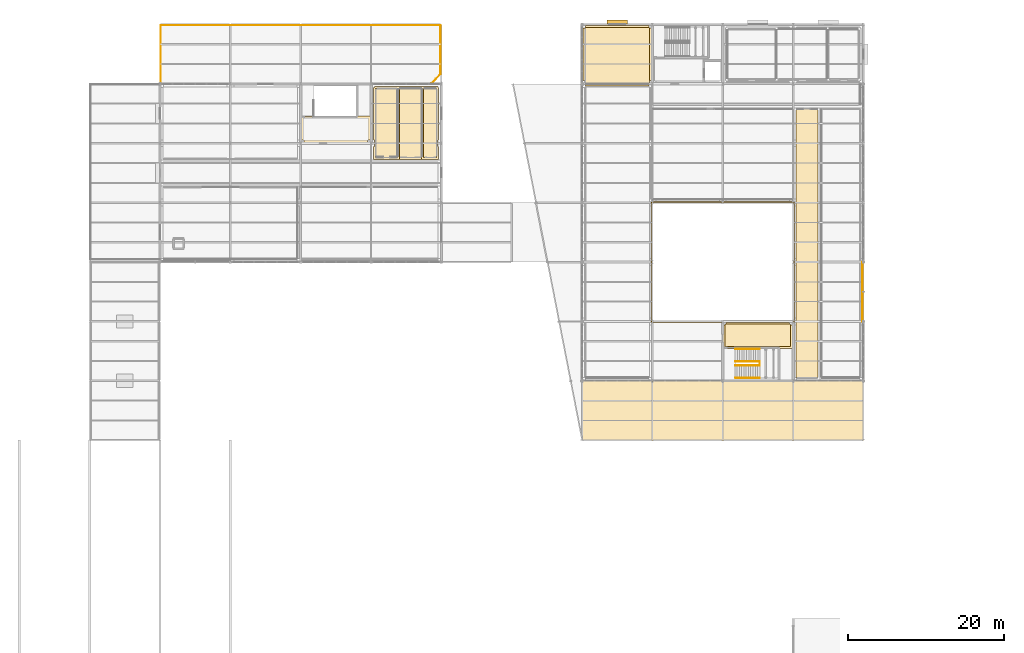
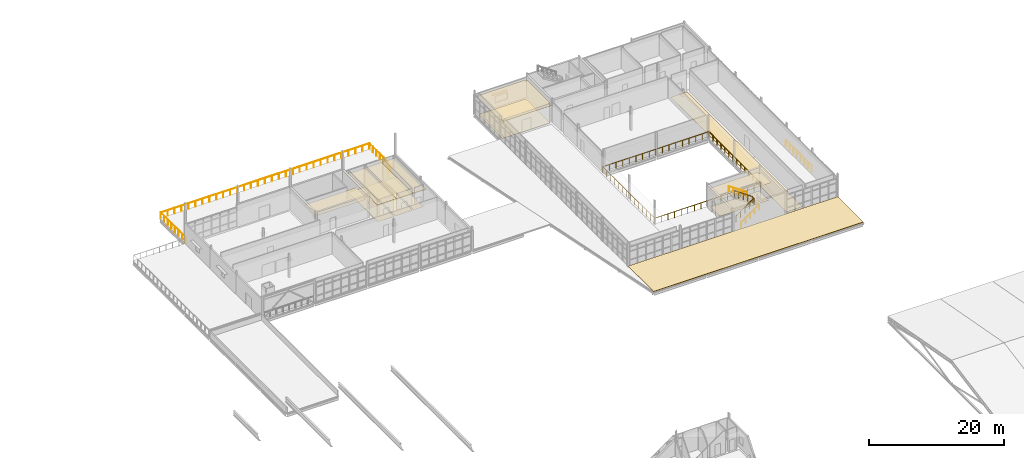
# One storey, part 95 of 96: 13 coverings, 6 railings, 1 shading device.
"""IFC4 building model written with IfcOpenShell, lengths in metres."""

from ifc_helpers import new_model, si_unit, direction, frame, origin, origin_2d, place, context, subcontext, project, spatial, polyline, rectangle, circle, outline, extrude, material, layer, layer_set, type_object, element, save


model = new_model("IFC4")

# Units and contexts
model_context = context("Model", 3, precision=1e-05, world=origin(), true_north=direction((0.0, 1.0)))
body_context = subcontext(model_context, "Body", "Model", "MODEL_VIEW")
ifc_project = project(units=[si_unit("LENGTHUNIT", "METRE"), si_unit("AREAUNIT", "SQUARE_METRE"), si_unit("VOLUMEUNIT", "CUBIC_METRE"), si_unit("PLANEANGLEUNIT", "RADIAN"), si_unit("MASSUNIT", "GRAM", prefix="KILO")], contexts=[model_context])

# Site, building, storey
site_placement = place(None, origin())
site = spatial("IfcSite", under=ifc_project, at=site_placement, CompositionType="ELEMENT")
building_placement = place(site_placement, origin())
building = spatial("IfcBuilding", under=site, at=building_placement, Name="Caisbarro Railhouse Central Library", CompositionType="ELEMENT")
storey_placement = place(building_placement, frame((0.0, 0.0, 13.679931640625)))
storey = spatial("IfcBuildingStorey", under=building, at=storey_placement, Name="L03", CompositionType="ELEMENT", Elevation=13.679931640625)

# Coverings
ifc_material_1 = material(Name="Perforated mineral-fibre acoustic ceiling tile")
ifc_layer_1 = layer(ifc_material_1, 0.01806640625, Name="Perforated mineral-fibre acoustic ceiling tile")
ifc_layer_set_1 = layer_set([ifc_layer_1], Name="Perforated mineral-fibre acoustic ceiling tile")
covering_type_1 = type_object("IfcCoveringType", Name="COV-CL01", PredefinedType="CEILING", material=ifc_layer_set_1)
covering_1_placement = place(storey_placement, frame((0.0, 0.0, 3.25)))
element("IfcCovering", 1, at=covering_1_placement, inside=storey, type_object=covering_type_1, Name="CL01 acoustic ceiling Stair Lobby K5", PredefinedType="CEILING", context=body_context, shape_type="SweptSolid", body=[
    extrude(outline(polyline([(89.9599609375, 102.260009765625), (89.9599609375, 99.239990234375), (89.56005859375, 99.239990234375), (89.56005859375, 98.889892578125), (81.43994140625, 98.889892578125), (81.43994140625, 99.239990234375), (81.0400390625, 99.239990234375), (81.0400390625, 102.260009765625), (89.9599609375, 102.260009765625)])), origin(), (0.0, 0.0, 1.0), 0.01806640625),
])
covering_2_placement = place(storey_placement, frame((0.0, 0.0, 3.25)))
element("IfcCovering", 2, at=covering_2_placement, inside=storey, type_object=covering_type_1, Name="CL01 acoustic ceiling Stair Lobby K7", PredefinedType="CEILING", context=body_context, shape_type="SweptSolid", body=[
    extrude(outline(polyline([(135.43994140625, 75.56005859375), (135.43994140625, 75.909912109375), (143.56005859375, 75.909912109375), (143.56005859375, 75.56005859375), (143.9599609375, 75.56005859375), (143.9599609375, 72.5400390625), (135.0400390625, 72.5400390625), (135.0400390625, 75.56005859375), (135.43994140625, 75.56005859375)])), origin(), (0.0, 0.0, 1.0), 0.01806640625),
])
covering_3_placement = place(storey_placement, frame((0.0, 0.0, 3.25)))
element("IfcCovering", 3, at=covering_3_placement, inside=storey, type_object=covering_type_1, Name="CL01 acoustic ceiling Male WC L03-V6", PredefinedType="CEILING", context=body_context, shape_type="SweptSolid", body=[
    extrude(outline(polyline([(90.43994140625, 98.360107421875), (90.43994140625, 99.239990234375), (90.340087890625, 99.239990234375), (90.340087890625, 105.9599609375), (90.43994140625, 105.9599609375), (90.43994140625, 106.06005859375), (93.676025390625, 106.06005859375), (93.676025390625, 96.739990234375), (90.340087890625, 96.739990234375), (90.340087890625, 98.360107421875), (90.43994140625, 98.360107421875)])), origin(), (0.0, 0.0, 1.0), 0.01806640625),
])
covering_4_placement = place(storey_placement, frame((0.0, 0.0, 3.25)))
element("IfcCovering", 4, at=covering_4_placement, inside=storey, type_object=covering_type_1, Name="CL01 acoustic ceiling Female WC L03-V6", PredefinedType="CEILING", context=body_context, shape_type="SweptSolid", body=[
    extrude(outline(polyline([(93.35595703125, 96.739990234375), (93.35595703125, 106.06005859375), (96.7919921875, 106.06005859375), (96.7919921875, 96.739990234375), (93.35595703125, 96.739990234375)])), origin(), (0.0, 0.0, 1.0), 0.01806640625),
])
covering_5_placement = place(storey_placement, frame((0.0, 0.0, 3.25)))
element("IfcCovering", 5, at=covering_5_placement, inside=storey, type_object=covering_type_1, Name="CL01 acoustic ceiling Accessible WC L03-V6", PredefinedType="CEILING", context=body_context, shape_type="SweptSolid", body=[
    extrude(outline(polyline([(98.56005859375, 106.06005859375), (98.56005859375, 105.9599609375), (98.659912109375, 105.9599609375), (98.659912109375, 99.239990234375), (98.56005859375, 99.239990234375), (98.56005859375, 98.360107421875), (98.659912109375, 98.360107421875), (98.659912109375, 96.739990234375), (96.471923828125, 96.739990234375), (96.471923828125, 106.06005859375), (98.56005859375, 106.06005859375)])), origin(), (0.0, 0.0, 1.0), 0.01806640625),
])
covering_6_placement = place(storey_placement, frame((0.0, 0.0, 3.25)))
element("IfcCovering", 6, at=covering_6_placement, inside=storey, type_object=covering_type_1, Name="CL01 acoustic ceiling Manuscript Consultation Room", PredefinedType="CEILING", context=body_context, shape_type="SweptSolid", body=[
    extrude(outline(polyline([(125.56005859375, 106.840087890625), (125.56005859375, 106.139892578125), (117.43994140625, 106.139892578125), (117.43994140625, 106.840087890625), (117.139892578125, 106.840087890625), (117.139892578125, 113.56005859375), (117.43994140625, 113.56005859375), (117.43994140625, 113.860107421875), (125.56005859375, 113.860107421875), (125.56005859375, 113.56005859375), (125.860107421875, 113.56005859375), (125.860107421875, 106.840087890625), (125.56005859375, 106.840087890625)])), origin(), (0.0, 0.0, 1.0), 0.01806640625),
])
ifc_material_2 = material(Name="Polished cementitious terrazzo flooring")
ifc_layer_2 = layer(ifc_material_2, 0.02197265625, Name="Polished cementitious terrazzo flooring")
ifc_layer_set_2 = layer_set([ifc_layer_2], Name="Polished cementitious terrazzo flooring")
covering_type_2 = type_object("IfcCoveringType", Name="COV-FL01", PredefinedType="FLOORING", material=ifc_layer_set_2)
covering_7_placement = place(storey_placement, origin())
element("IfcCovering", 7, at=covering_7_placement, inside=storey, type_object=covering_type_2, Name="FL01 flooring Stair Lobby K7", PredefinedType="FLOORING", context=body_context, shape_type="SweptSolid", body=[
    extrude(outline(polyline([(135.300048828125, 72.800048828125), (143.699951171875, 72.800048828125), (143.699951171875, 75.64990234375), (135.300048828125, 75.64990234375), (135.300048828125, 72.800048828125)])), origin(), (0.0, 0.0, 1.0), 0.02197265625),
])
covering_8_placement = place(storey_placement, origin())
element("IfcCovering", 8, at=covering_8_placement, inside=storey, type_object=covering_type_2, Name="FL01 flooring Atrium East Corridor L03", PredefinedType="FLOORING", context=body_context, shape_type="SweptSolid", body=[
    extrude(outline(polyline([(144.39990234375, 68.800048828125), (147.199951171875, 68.800048828125), (147.199951171875, 103.199951171875), (144.39990234375, 103.199951171875), (144.39990234375, 68.800048828125)])), origin(), (0.0, 0.0, 1.0), 0.02197265625),
])
ifc_material_3 = material(Name="Heavy-duty acoustic linoleum flooring")
ifc_layer_3 = layer(ifc_material_3, 0.011962890625, Name="Heavy-duty acoustic linoleum flooring")
ifc_layer_set_3 = layer_set([ifc_layer_3], Name="Heavy-duty acoustic linoleum flooring")
covering_type_3 = type_object("IfcCoveringType", Name="COV-FL02", PredefinedType="FLOORING", material=ifc_layer_set_3)
covering_9_placement = place(storey_placement, origin())
element("IfcCovering", 9, at=covering_9_placement, inside=storey, type_object=covering_type_3, Name="FL02 flooring Male WC L03-V6", PredefinedType="FLOORING", context=body_context, shape_type="SweptSolid", body=[
    extrude(outline(polyline([(90.60009765625, 97.0), (93.416015625, 97.0), (93.416015625, 105.800048828125), (90.60009765625, 105.800048828125), (90.60009765625, 97.0)])), origin(), (0.0, 0.0, 1.0), 0.011962890625),
])
covering_10_placement = place(storey_placement, origin())
element("IfcCovering", 10, at=covering_10_placement, inside=storey, type_object=covering_type_3, Name="FL02 flooring Female WC L03-V6", PredefinedType="FLOORING", context=body_context, shape_type="SweptSolid", body=[
    extrude(outline(polyline([(93.615966796875, 97.0), (96.531982421875, 97.0), (96.531982421875, 105.800048828125), (93.615966796875, 105.800048828125), (93.615966796875, 97.0)])), origin(), (0.0, 0.0, 1.0), 0.011962890625),
])
covering_11_placement = place(storey_placement, origin())
element("IfcCovering", 11, at=covering_11_placement, inside=storey, type_object=covering_type_3, Name="FL02 flooring Accessible WC L03-V6", PredefinedType="FLOORING", context=body_context, shape_type="SweptSolid", body=[
    extrude(outline(polyline([(96.73193359375, 97.0), (98.39990234375, 97.0), (98.39990234375, 105.800048828125), (96.73193359375, 105.800048828125), (96.73193359375, 97.0)])), origin(), (0.0, 0.0, 1.0), 0.011962890625),
])
covering_12_placement = place(storey_placement, origin())
element("IfcCovering", 12, at=covering_12_placement, inside=storey, type_object=covering_type_3, Name="FL02 flooring Manuscript Consultation Room", PredefinedType="FLOORING", context=body_context, shape_type="SweptSolid", body=[
    extrude(outline(polyline([(117.39990234375, 106.39990234375), (125.60009765625, 106.39990234375), (125.60009765625, 113.60009765625), (117.39990234375, 113.60009765625), (117.39990234375, 106.39990234375)])), origin(), (0.0, 0.0, 1.0), 0.011962890625),
])
ifc_material_4 = material(Name="TPO waterproof membrane over PIR insulation")
ifc_layer_4 = layer(ifc_material_4, 0.080078125, Name="TPO waterproof membrane over PIR insulation")
ifc_layer_set_4 = layer_set([ifc_layer_4], Name="TPO waterproof membrane over PIR insulation")
covering_type_4 = type_object("IfcCoveringType", Name="COV-ROOF01", PredefinedType="ROOFING", material=ifc_layer_set_4)
covering_13_placement = place(storey_placement, origin())
element("IfcCovering", 13, at=covering_13_placement, inside=storey, type_object=covering_type_4, Name="V4 South Setback Roof Membrane", PredefinedType="ROOFING", context=body_context, shape_type="SweptSolid", body=[
    extrude(outline(polyline([(117.0, 60.800048828125), (153.0, 60.800048828125), (153.0, 68.39990234375), (117.0, 68.39990234375), (117.0, 60.800048828125)])), origin(), (0.0, 0.0, 1.0), 0.080078125),
])

# Railings
ifc_material_5 = material(Name="Laminated safety glass balustrade with stainless top rail", Category="glass")
railing_type_1 = type_object("IfcRailingType", Name="RLG-ATR112", PredefinedType="GUARDRAIL", material=ifc_material_5)
railing_1_placement = place(storey_placement, frame((125.89990234375, 75.89990234375, 0.0)))
element("IfcRailing", 14, at=railing_1_placement, inside=storey, type_object=railing_type_1, Name="RG02 Interior Void Balustrade L03-03", PredefinedType="GUARDRAIL", context=body_context, shape_type="SweptSolid", body=[
    extrude(circle(Radius=0.02392578125, at=origin_2d()), frame((0.0, 0.0, 1.09619140625), z_axis=(1.0, 0.0, 0.0), x_axis=(0.0, 1.0, 0.0)), (0.0, 0.0, 1.0), 18.2001953125),
    extrude(circle(Radius=0.02392578125, at=origin_2d()), frame((18.2001953125, 0.0, 1.09619140625), z_axis=(0.0, 1.0, 0.0), x_axis=(-1.0, 0.0, 0.0)), (0.0, 0.0, 1.0), 15.400146484375),
    extrude(circle(Radius=0.02392578125, at=origin_2d()), frame((18.2001953125, 15.400146484375, 1.09619140625), z_axis=(-1.0, 0.0, 0.0), x_axis=(0.0, -1.0, 0.0)), (0.0, 0.0, 1.0), 18.2001953125),
    extrude(circle(Radius=0.02392578125, at=origin_2d()), frame((0.0, 15.400146484375, 1.09619140625), z_axis=(0.0, -1.0, 0.0), x_axis=(1.0, 0.0, 0.0)), (0.0, 0.0, 1.0), 15.400146484375),
    extrude(circle(Radius=0.02099609375, at=origin_2d()), origin(), (0.0, 0.0, 1.0), 1.072021484375),
    extrude(circle(Radius=0.02099609375, at=origin_2d()), frame((1.137451171875, 0.0, 0.0)), (0.0, 0.0, 1.0), 1.072021484375),
    extrude(circle(Radius=0.02099609375, at=origin_2d()), frame((2.27490234375, 0.0, 0.0)), (0.0, 0.0, 1.0), 1.072021484375),
    extrude(circle(Radius=0.02099609375, at=origin_2d()), frame((3.41259765625, 0.0, 0.0)), (0.0, 0.0, 1.0), 1.072021484375),
    extrude(circle(Radius=0.02099609375, at=origin_2d()), frame((4.550048828125, 0.0, 0.0)), (0.0, 0.0, 1.0), 1.072021484375),
    extrude(circle(Radius=0.02099609375, at=origin_2d()), frame((5.6875, 0.0, 0.0)), (0.0, 0.0, 1.0), 1.072021484375),
    extrude(circle(Radius=0.02099609375, at=origin_2d()), frame((6.8251953125, 0.0, 0.0)), (0.0, 0.0, 1.0), 1.072021484375),
    extrude(circle(Radius=0.02099609375, at=origin_2d()), frame((7.962646484375, 0.0, 0.0)), (0.0, 0.0, 1.0), 1.072021484375),
    extrude(circle(Radius=0.02099609375, at=origin_2d()), frame((9.10009765625, 0.0, 0.0)), (0.0, 0.0, 1.0), 1.072021484375),
    extrude(circle(Radius=0.02099609375, at=origin_2d()), frame((10.237548828125, 0.0, 0.0)), (0.0, 0.0, 1.0), 1.072021484375),
    extrude(circle(Radius=0.02099609375, at=origin_2d()), frame((11.375, 0.0, 0.0)), (0.0, 0.0, 1.0), 1.072021484375),
    extrude(circle(Radius=0.02099609375, at=origin_2d()), frame((12.5126953125, 0.0, 0.0)), (0.0, 0.0, 1.0), 1.072021484375),
    extrude(circle(Radius=0.02099609375, at=origin_2d()), frame((13.650146484375, 0.0, 0.0)), (0.0, 0.0, 1.0), 1.072021484375),
    extrude(circle(Radius=0.02099609375, at=origin_2d()), frame((14.78759765625, 0.0, 0.0)), (0.0, 0.0, 1.0), 1.072021484375),
    extrude(circle(Radius=0.02099609375, at=origin_2d()), frame((15.92529296875, 0.0, 0.0)), (0.0, 0.0, 1.0), 1.072021484375),
    extrude(circle(Radius=0.02099609375, at=origin_2d()), frame((17.062744140625, 0.0, 0.0)), (0.0, 0.0, 1.0), 1.072021484375),
    extrude(circle(Radius=0.02099609375, at=origin_2d()), frame((18.2001953125, 0.0, 0.0)), (0.0, 0.0, 1.0), 1.072021484375),
    extrude(circle(Radius=0.02099609375, at=origin_2d()), frame((18.2001953125, 1.1845703125, 0.0)), (0.0, 0.0, 1.0), 1.072021484375),
    extrude(circle(Radius=0.02099609375, at=origin_2d()), frame((18.2001953125, 2.369140625, 0.0)), (0.0, 0.0, 1.0), 1.072021484375),
    extrude(circle(Radius=0.02099609375, at=origin_2d()), frame((18.2001953125, 3.553955078125, 0.0)), (0.0, 0.0, 1.0), 1.072021484375),
    extrude(circle(Radius=0.02099609375, at=origin_2d()), frame((18.2001953125, 4.738525390625, 0.0)), (0.0, 0.0, 1.0), 1.072021484375),
    extrude(circle(Radius=0.02099609375, at=origin_2d()), frame((18.2001953125, 5.923095703125, 0.0)), (0.0, 0.0, 1.0), 1.072021484375),
    extrude(circle(Radius=0.02099609375, at=origin_2d()), frame((18.2001953125, 7.107666015625, 0.0)), (0.0, 0.0, 1.0), 1.072021484375),
    extrude(circle(Radius=0.02099609375, at=origin_2d()), frame((18.2001953125, 8.29248046875, 0.0)), (0.0, 0.0, 1.0), 1.072021484375),
    extrude(circle(Radius=0.02099609375, at=origin_2d()), frame((18.2001953125, 9.47705078125, 0.0)), (0.0, 0.0, 1.0), 1.072021484375),
    extrude(circle(Radius=0.02099609375, at=origin_2d()), frame((18.2001953125, 10.66162109375, 0.0)), (0.0, 0.0, 1.0), 1.072021484375),
    extrude(circle(Radius=0.02099609375, at=origin_2d()), frame((18.2001953125, 11.84619140625, 0.0)), (0.0, 0.0, 1.0), 1.072021484375),
    extrude(circle(Radius=0.02099609375, at=origin_2d()), frame((18.2001953125, 13.031005859375, 0.0)), (0.0, 0.0, 1.0), 1.072021484375),
    extrude(circle(Radius=0.02099609375, at=origin_2d()), frame((18.2001953125, 14.215576171875, 0.0)), (0.0, 0.0, 1.0), 1.072021484375),
    extrude(circle(Radius=0.02099609375, at=origin_2d()), frame((18.2001953125, 15.400146484375, 0.0)), (0.0, 0.0, 1.0), 1.072021484375),
    extrude(circle(Radius=0.02099609375, at=origin_2d()), frame((17.062744140625, 15.400146484375, 0.0)), (0.0, 0.0, 1.0), 1.072021484375),
    extrude(circle(Radius=0.02099609375, at=origin_2d()), frame((15.92529296875, 15.400146484375, 0.0)), (0.0, 0.0, 1.0), 1.072021484375),
    extrude(circle(Radius=0.02099609375, at=origin_2d()), frame((14.78759765625, 15.400146484375, 0.0)), (0.0, 0.0, 1.0), 1.072021484375),
    extrude(circle(Radius=0.02099609375, at=origin_2d()), frame((13.650146484375, 15.400146484375, 0.0)), (0.0, 0.0, 1.0), 1.072021484375),
    extrude(circle(Radius=0.02099609375, at=origin_2d()), frame((12.5126953125, 15.400146484375, 0.0)), (0.0, 0.0, 1.0), 1.072021484375),
    extrude(circle(Radius=0.02099609375, at=origin_2d()), frame((11.375, 15.400146484375, 0.0)), (0.0, 0.0, 1.0), 1.072021484375),
    extrude(circle(Radius=0.02099609375, at=origin_2d()), frame((10.237548828125, 15.400146484375, 0.0)), (0.0, 0.0, 1.0), 1.072021484375),
    extrude(circle(Radius=0.02099609375, at=origin_2d()), frame((9.10009765625, 15.400146484375, 0.0)), (0.0, 0.0, 1.0), 1.072021484375),
    extrude(circle(Radius=0.02099609375, at=origin_2d()), frame((7.962646484375, 15.400146484375, 0.0)), (0.0, 0.0, 1.0), 1.072021484375),
    extrude(circle(Radius=0.02099609375, at=origin_2d()), frame((6.8251953125, 15.400146484375, 0.0)), (0.0, 0.0, 1.0), 1.072021484375),
    extrude(circle(Radius=0.02099609375, at=origin_2d()), frame((5.6875, 15.400146484375, 0.0)), (0.0, 0.0, 1.0), 1.072021484375),
    extrude(circle(Radius=0.02099609375, at=origin_2d()), frame((4.550048828125, 15.400146484375, 0.0)), (0.0, 0.0, 1.0), 1.072021484375),
    extrude(circle(Radius=0.02099609375, at=origin_2d()), frame((3.41259765625, 15.400146484375, 0.0)), (0.0, 0.0, 1.0), 1.072021484375),
    extrude(circle(Radius=0.02099609375, at=origin_2d()), frame((2.27490234375, 15.400146484375, 0.0)), (0.0, 0.0, 1.0), 1.072021484375),
    extrude(circle(Radius=0.02099609375, at=origin_2d()), frame((1.137451171875, 15.400146484375, 0.0)), (0.0, 0.0, 1.0), 1.072021484375),
    extrude(circle(Radius=0.02099609375, at=origin_2d()), frame((0.0, 15.400146484375, 0.0)), (0.0, 0.0, 1.0), 1.072021484375),
    extrude(circle(Radius=0.02099609375, at=origin_2d()), frame((0.0, 14.215576171875, 0.0)), (0.0, 0.0, 1.0), 1.072021484375),
    extrude(circle(Radius=0.02099609375, at=origin_2d()), frame((0.0, 13.031005859375, 0.0)), (0.0, 0.0, 1.0), 1.072021484375),
    extrude(circle(Radius=0.02099609375, at=origin_2d()), frame((0.0, 11.84619140625, 0.0)), (0.0, 0.0, 1.0), 1.072021484375),
    extrude(circle(Radius=0.02099609375, at=origin_2d()), frame((0.0, 10.66162109375, 0.0)), (0.0, 0.0, 1.0), 1.072021484375),
    extrude(circle(Radius=0.02099609375, at=origin_2d()), frame((0.0, 9.47705078125, 0.0)), (0.0, 0.0, 1.0), 1.072021484375),
    extrude(circle(Radius=0.02099609375, at=origin_2d()), frame((0.0, 8.29248046875, 0.0)), (0.0, 0.0, 1.0), 1.072021484375),
    extrude(circle(Radius=0.02099609375, at=origin_2d()), frame((0.0, 7.107666015625, 0.0)), (0.0, 0.0, 1.0), 1.072021484375),
    extrude(circle(Radius=0.02099609375, at=origin_2d()), frame((0.0, 5.923095703125, 0.0)), (0.0, 0.0, 1.0), 1.072021484375),
    extrude(circle(Radius=0.02099609375, at=origin_2d()), frame((0.0, 4.738525390625, 0.0)), (0.0, 0.0, 1.0), 1.072021484375),
    extrude(circle(Radius=0.02099609375, at=origin_2d()), frame((0.0, 3.553955078125, 0.0)), (0.0, 0.0, 1.0), 1.072021484375),
    extrude(circle(Radius=0.02099609375, at=origin_2d()), frame((0.0, 2.369140625, 0.0)), (0.0, 0.0, 1.0), 1.072021484375),
    extrude(circle(Radius=0.02099609375, at=origin_2d()), frame((0.0, 1.1845703125, 0.0)), (0.0, 0.0, 1.0), 1.072021484375),
])
railing_2_placement = place(storey_placement, frame((152.89990234375, 76.0, 0.0)))
element("IfcRailing", 15, at=railing_2_placement, inside=storey, type_object=railing_type_1, Name="RG02 Interior Void Balustrade L03-33", PredefinedType="GUARDRAIL", context=body_context, shape_type="SweptSolid", body=[
    extrude(circle(Radius=0.02392578125, at=origin_2d()), frame((0.0, 0.0, 1.09619140625), z_axis=(0.0, 1.0, 0.0), x_axis=(-1.0, 0.0, 0.0)), (0.0, 0.0, 1.0), 7.60009765625),
    extrude(circle(Radius=0.02099609375, at=origin_2d()), origin(), (0.0, 0.0, 1.0), 1.072021484375),
    extrude(circle(Radius=0.02099609375, at=origin_2d()), frame((0.0, 1.085693359375, 0.0)), (0.0, 0.0, 1.0), 1.072021484375),
    extrude(circle(Radius=0.02099609375, at=origin_2d()), frame((0.0, 2.17138671875, 0.0)), (0.0, 0.0, 1.0), 1.072021484375),
    extrude(circle(Radius=0.02099609375, at=origin_2d()), frame((0.0, 3.257080078125, 0.0)), (0.0, 0.0, 1.0), 1.072021484375),
    extrude(circle(Radius=0.02099609375, at=origin_2d()), frame((0.0, 4.343017578125, 0.0)), (0.0, 0.0, 1.0), 1.072021484375),
    extrude(circle(Radius=0.02099609375, at=origin_2d()), frame((0.0, 5.4287109375, 0.0)), (0.0, 0.0, 1.0), 1.072021484375),
    extrude(circle(Radius=0.02099609375, at=origin_2d()), frame((0.0, 6.514404296875, 0.0)), (0.0, 0.0, 1.0), 1.072021484375),
    extrude(circle(Radius=0.02099609375, at=origin_2d()), frame((0.0, 7.60009765625, 0.0)), (0.0, 0.0, 1.0), 1.072021484375),
])
ifc_material_6 = material(Name="Brushed stainless steel Grade 316", Category="steel")
railing_type_2 = type_object("IfcRailingType", Name="RLG-EXT110", PredefinedType="GUARDRAIL", material=ifc_material_6)
railing_3_placement = place(storey_placement, frame((63.10009765625, 106.449951171875, 0.0)))
element("IfcRailing", 16, at=railing_3_placement, inside=storey, type_object=railing_type_2, Name="RG01 Terrace Guardrail TR-L03-N", PredefinedType="GUARDRAIL", context=body_context, shape_type="SweptSolid", body=[
    extrude(circle(Radius=0.02392578125, at=origin_2d()), frame((0.0, 0.0, 1.076171875), z_axis=(0.0, 1.0, 0.0), x_axis=(-1.0, 0.0, 0.0)), (0.0, 0.0, 1.0), 7.449951171875),
    extrude(circle(Radius=0.02392578125, at=origin_2d()), frame((0.0, 7.449951171875, 1.076171875), z_axis=(1.0, 0.0, 0.0), x_axis=(0.0, 1.0, 0.0)), (0.0, 0.0, 1.0), 35.7998046875),
    extrude(circle(Radius=0.02392578125, at=origin_2d()), frame((35.7998046875, 7.449951171875, 1.076171875), z_axis=(0.0, -1.0, 0.0), x_axis=(1.0, 0.0, 0.0)), (0.0, 0.0, 1.0), 6.25),
    extrude(circle(Radius=0.02392578125, at=origin_2d()), frame((35.7998046875, 1.199951171875, 1.076171875), z_axis=(-0.691889410347, -0.722003492963, 0.0), x_axis=(0.722003492963, -0.691889410347, 0.0)), (0.0, 0.0, 1.0), 1.661865234375),
    extrude(circle(Radius=0.02099609375, at=origin_2d()), origin(), (0.0, 0.0, 1.0), 1.052001953125),
    extrude(circle(Radius=0.02099609375, at=origin_2d()), frame((0.0, 1.064208984375, 0.0)), (0.0, 0.0, 1.0), 1.052001953125),
    extrude(circle(Radius=0.02099609375, at=origin_2d()), frame((0.0, 2.128662109375, 0.0)), (0.0, 0.0, 1.0), 1.052001953125),
    extrude(circle(Radius=0.02099609375, at=origin_2d()), frame((0.0, 3.19287109375, 0.0)), (0.0, 0.0, 1.0), 1.052001953125),
    extrude(circle(Radius=0.02099609375, at=origin_2d()), frame((0.0, 4.257080078125, 0.0)), (0.0, 0.0, 1.0), 1.052001953125),
    extrude(circle(Radius=0.02099609375, at=origin_2d()), frame((0.0, 5.3212890625, 0.0)), (0.0, 0.0, 1.0), 1.052001953125),
    extrude(circle(Radius=0.02099609375, at=origin_2d()), frame((0.0, 6.3857421875, 0.0)), (0.0, 0.0, 1.0), 1.052001953125),
    extrude(circle(Radius=0.02099609375, at=origin_2d()), frame((0.0, 7.449951171875, 0.0)), (0.0, 0.0, 1.0), 1.052001953125),
    extrude(circle(Radius=0.02099609375, at=origin_2d()), frame((1.193359375, 7.449951171875, 0.0)), (0.0, 0.0, 1.0), 1.052001953125),
    extrude(circle(Radius=0.02099609375, at=origin_2d()), frame((2.38671875, 7.449951171875, 0.0)), (0.0, 0.0, 1.0), 1.052001953125),
    extrude(circle(Radius=0.02099609375, at=origin_2d()), frame((3.580078125, 7.449951171875, 0.0)), (0.0, 0.0, 1.0), 1.052001953125),
    extrude(circle(Radius=0.02099609375, at=origin_2d()), frame((4.773193359375, 7.449951171875, 0.0)), (0.0, 0.0, 1.0), 1.052001953125),
    extrude(circle(Radius=0.02099609375, at=origin_2d()), frame((5.966552734375, 7.449951171875, 0.0)), (0.0, 0.0, 1.0), 1.052001953125),
    extrude(circle(Radius=0.02099609375, at=origin_2d()), frame((7.159912109375, 7.449951171875, 0.0)), (0.0, 0.0, 1.0), 1.052001953125),
    extrude(circle(Radius=0.02099609375, at=origin_2d()), frame((8.353271484375, 7.449951171875, 0.0)), (0.0, 0.0, 1.0), 1.052001953125),
    extrude(circle(Radius=0.02099609375, at=origin_2d()), frame((9.546630859375, 7.449951171875, 0.0)), (0.0, 0.0, 1.0), 1.052001953125),
    extrude(circle(Radius=0.02099609375, at=origin_2d()), frame((10.739990234375, 7.449951171875, 0.0)), (0.0, 0.0, 1.0), 1.052001953125),
    extrude(circle(Radius=0.02099609375, at=origin_2d()), frame((11.933349609375, 7.449951171875, 0.0)), (0.0, 0.0, 1.0), 1.052001953125),
    extrude(circle(Radius=0.02099609375, at=origin_2d()), frame((13.126708984375, 7.449951171875, 0.0)), (0.0, 0.0, 1.0), 1.052001953125),
    extrude(circle(Radius=0.02099609375, at=origin_2d()), frame((14.31982421875, 7.449951171875, 0.0)), (0.0, 0.0, 1.0), 1.052001953125),
    extrude(circle(Radius=0.02099609375, at=origin_2d()), frame((15.51318359375, 7.449951171875, 0.0)), (0.0, 0.0, 1.0), 1.052001953125),
    extrude(circle(Radius=0.02099609375, at=origin_2d()), frame((16.70654296875, 7.449951171875, 0.0)), (0.0, 0.0, 1.0), 1.052001953125),
    extrude(circle(Radius=0.02099609375, at=origin_2d()), frame((17.89990234375, 7.449951171875, 0.0)), (0.0, 0.0, 1.0), 1.052001953125),
    extrude(circle(Radius=0.02099609375, at=origin_2d()), frame((19.09326171875, 7.449951171875, 0.0)), (0.0, 0.0, 1.0), 1.052001953125),
    extrude(circle(Radius=0.02099609375, at=origin_2d()), frame((20.28662109375, 7.449951171875, 0.0)), (0.0, 0.0, 1.0), 1.052001953125),
    extrude(circle(Radius=0.02099609375, at=origin_2d()), frame((21.47998046875, 7.449951171875, 0.0)), (0.0, 0.0, 1.0), 1.052001953125),
    extrude(circle(Radius=0.02099609375, at=origin_2d()), frame((22.673095703125, 7.449951171875, 0.0)), (0.0, 0.0, 1.0), 1.052001953125),
    extrude(circle(Radius=0.02099609375, at=origin_2d()), frame((23.866455078125, 7.449951171875, 0.0)), (0.0, 0.0, 1.0), 1.052001953125),
    extrude(circle(Radius=0.02099609375, at=origin_2d()), frame((25.059814453125, 7.449951171875, 0.0)), (0.0, 0.0, 1.0), 1.052001953125),
    extrude(circle(Radius=0.02099609375, at=origin_2d()), frame((26.253173828125, 7.449951171875, 0.0)), (0.0, 0.0, 1.0), 1.052001953125),
    extrude(circle(Radius=0.02099609375, at=origin_2d()), frame((27.446533203125, 7.449951171875, 0.0)), (0.0, 0.0, 1.0), 1.052001953125),
    extrude(circle(Radius=0.02099609375, at=origin_2d()), frame((28.639892578125, 7.449951171875, 0.0)), (0.0, 0.0, 1.0), 1.052001953125),
    extrude(circle(Radius=0.02099609375, at=origin_2d()), frame((29.833251953125, 7.449951171875, 0.0)), (0.0, 0.0, 1.0), 1.052001953125),
    extrude(circle(Radius=0.02099609375, at=origin_2d()), frame((31.026611328125, 7.449951171875, 0.0)), (0.0, 0.0, 1.0), 1.052001953125),
    extrude(circle(Radius=0.02099609375, at=origin_2d()), frame((32.2197265625, 7.449951171875, 0.0)), (0.0, 0.0, 1.0), 1.052001953125),
    extrude(circle(Radius=0.02099609375, at=origin_2d()), frame((33.4130859375, 7.449951171875, 0.0)), (0.0, 0.0, 1.0), 1.052001953125),
    extrude(circle(Radius=0.02099609375, at=origin_2d()), frame((34.6064453125, 7.449951171875, 0.0)), (0.0, 0.0, 1.0), 1.052001953125),
    extrude(circle(Radius=0.02099609375, at=origin_2d()), frame((35.7998046875, 7.449951171875, 0.0)), (0.0, 0.0, 1.0), 1.052001953125),
    extrude(circle(Radius=0.02099609375, at=origin_2d()), frame((35.7998046875, 6.408203125, 0.0)), (0.0, 0.0, 1.0), 1.052001953125),
    extrude(circle(Radius=0.02099609375, at=origin_2d()), frame((35.7998046875, 5.36669921875, 0.0)), (0.0, 0.0, 1.0), 1.052001953125),
    extrude(circle(Radius=0.02099609375, at=origin_2d()), frame((35.7998046875, 4.324951171875, 0.0)), (0.0, 0.0, 1.0), 1.052001953125),
    extrude(circle(Radius=0.02099609375, at=origin_2d()), frame((35.7998046875, 3.283203125, 0.0)), (0.0, 0.0, 1.0), 1.052001953125),
    extrude(circle(Radius=0.02099609375, at=origin_2d()), frame((35.7998046875, 2.24169921875, 0.0)), (0.0, 0.0, 1.0), 1.052001953125),
    extrude(circle(Radius=0.02099609375, at=origin_2d()), frame((35.7998046875, 1.199951171875, 0.0)), (0.0, 0.0, 1.0), 1.052001953125),
    extrude(circle(Radius=0.02099609375, at=origin_2d()), frame((35.224853515625, 0.60009765625, 0.0)), (0.0, 0.0, 1.0), 1.052001953125),
    extrude(circle(Radius=0.02099609375, at=origin_2d()), frame((34.64990234375, 0.0, 0.0)), (0.0, 0.0, 1.0), 1.052001953125),
])
railing_type_3 = type_object("IfcRailingType", Name="RLG-STR092", PredefinedType="HANDRAIL", material=ifc_material_6)
railing_4_placement = place(storey_placement, frame((136.64990234375, 68.7900390625, 0.0)))
element("IfcRailing", 17, at=railing_4_placement, inside=storey, type_object=railing_type_3, Name="Stair ST-07 Outer Handrail F1 L03", PredefinedType="HANDRAIL", context=body_context, shape_type="SweptSolid", body=[
    extrude(circle(Radius=0.02392578125, at=origin_2d()), frame((0.0, 0.0, 0.89599609375), z_axis=(0.819593772312, 0.0, 0.572945065767), x_axis=(0.0, 1.0, 0.0)), (0.0, 0.0, 1.0), 3.770263671875),
    extrude(circle(Radius=0.02099609375, at=origin_2d()), origin(), (0.0, 0.0, 1.0), 0.871826171875),
    extrude(circle(Radius=0.02099609375, at=origin_2d()), frame((0.7724609375, 0.0, 0.5400390625)), (0.0, 0.0, 1.0), 0.871826171875),
    extrude(circle(Radius=0.02099609375, at=origin_2d()), frame((1.544921875, 0.0, 1.080078125)), (0.0, 0.0, 1.0), 0.871826171875),
    extrude(circle(Radius=0.02099609375, at=origin_2d()), frame((2.317626953125, 0.0, 1.6201171875)), (0.0, 0.0, 1.0), 0.871826171875),
    extrude(circle(Radius=0.02099609375, at=origin_2d()), frame((3.090087890625, 0.0, 2.16015625)), (0.0, 0.0, 1.0), 0.871826171875),
])
railing_5_placement = place(storey_placement, frame((139.739990234375, 72.4599609375, 2.16015625)))
element("IfcRailing", 18, at=railing_5_placement, inside=storey, type_object=railing_type_3, Name="Stair ST-07 Outer Handrail F2 L03", PredefinedType="HANDRAIL", context=body_context, shape_type="SweptSolid", body=[
    extrude(circle(Radius=0.02392578125, at=origin_2d()), frame((0.0, 0.0, 0.89599609375), z_axis=(-0.819624179701, 0.0, 0.572901565759), x_axis=(0.0, -1.0, 0.0)), (0.0, 0.0, 1.0), 3.77001953125),
    extrude(circle(Radius=0.02099609375, at=origin_2d()), origin(), (0.0, 0.0, 1.0), 0.871826171875),
    extrude(circle(Radius=0.02099609375, at=origin_2d()), frame((-0.7724609375, 0.0, 0.5400390625)), (0.0, 0.0, 1.0), 0.871826171875),
    extrude(circle(Radius=0.02099609375, at=origin_2d()), frame((-1.544921875, 0.0, 1.080078125)), (0.0, 0.0, 1.0), 0.871826171875),
    extrude(circle(Radius=0.02099609375, at=origin_2d()), frame((-2.317626953125, 0.0, 1.619873046875)), (0.0, 0.0, 1.0), 0.871826171875),
    extrude(circle(Radius=0.02099609375, at=origin_2d()), frame((-3.090087890625, 0.0, 2.159912109375)), (0.0, 0.0, 1.0), 0.871826171875),
])
railing_type_4 = type_object("IfcRailingType", Name="RLG-STR110", PredefinedType="GUARDRAIL", material=ifc_material_6)
railing_6_placement = place(storey_placement, frame((136.64990234375, 70.3701171875, 0.0)))
element("IfcRailing", 19, at=railing_6_placement, inside=storey, type_object=railing_type_4, Name="Stair ST-07 Inner Well Guardrail L03", PredefinedType="GUARDRAIL", context=body_context, shape_type="SweptSolid", body=[
    extrude(circle(Radius=0.02392578125, at=origin_2d()), frame((0.0, 0.0, 1.076171875), z_axis=(0.819593772312, 0.0, 0.572945065767), x_axis=(0.0, 1.0, 0.0)), (0.0, 0.0, 1.0), 3.770263671875),
    extrude(circle(Radius=0.02392578125, at=origin_2d()), frame((3.090087890625, 0.0, 3.236328125), z_axis=(0.0, 1.0, 0.0), x_axis=(-1.0, 0.0, 0.0)), (0.0, 0.0, 1.0), 0.509765625),
    extrude(circle(Radius=0.02392578125, at=origin_2d()), frame((3.090087890625, 0.509765625, 3.236328125), z_axis=(-0.819624179701, 0.0, 0.572901565759), x_axis=(0.0, -1.0, 0.0)), (0.0, 0.0, 1.0), 3.77001953125),
    extrude(circle(Radius=0.02099609375, at=origin_2d()), origin(), (0.0, 0.0, 1.0), 1.052001953125),
    extrude(circle(Radius=0.02099609375, at=origin_2d()), frame((0.7724609375, 0.0, 0.5400390625)), (0.0, 0.0, 1.0), 1.052001953125),
    extrude(circle(Radius=0.02099609375, at=origin_2d()), frame((1.544921875, 0.0, 1.080078125)), (0.0, 0.0, 1.0), 1.052001953125),
    extrude(circle(Radius=0.02099609375, at=origin_2d()), frame((2.317626953125, 0.0, 1.6201171875)), (0.0, 0.0, 1.0), 1.052001953125),
    extrude(circle(Radius=0.02099609375, at=origin_2d()), frame((3.090087890625, 0.0, 2.16015625)), (0.0, 0.0, 1.0), 1.052001953125),
    extrude(circle(Radius=0.02099609375, at=origin_2d()), frame((3.090087890625, 0.509765625, 2.16015625)), (0.0, 0.0, 1.0), 1.052001953125),
    extrude(circle(Radius=0.02099609375, at=origin_2d()), frame((2.317626953125, 0.509765625, 2.7001953125)), (0.0, 0.0, 1.0), 1.052001953125),
    extrude(circle(Radius=0.02099609375, at=origin_2d()), frame((1.544921875, 0.509765625, 3.240234375)), (0.0, 0.0, 1.0), 1.052001953125),
    extrude(circle(Radius=0.02099609375, at=origin_2d()), frame((0.7724609375, 0.509765625, 3.780029296875)), (0.0, 0.0, 1.0), 1.052001953125),
    extrude(circle(Radius=0.02099609375, at=origin_2d()), frame((0.0, 0.509765625, 4.320068359375)), (0.0, 0.0, 1.0), 1.052001953125),
])

# Shading device
ifc_material_7 = material(Name="Anodised architectural aluminium", Category="aluminium")
ifc_layer_5 = layer(ifc_material_7, 0.050048828125, Name="Anodised architectural aluminium")
ifc_layer_set_5 = layer_set([ifc_layer_5], Name="Anodised architectural aluminium")
shading_device_type = type_object("IfcShadingDeviceType", Name="SHD-JAL01", PredefinedType="JALOUSIE", material=ifc_layer_set_5)
shading_device_placement = place(storey_placement, frame((121.5, 114.330078125, 2.0849609375), z_axis=(0.0, 0.0, 1.0), x_axis=(1.0, 0.0, 0.0)))
element("IfcShadingDevice", 20, at=shading_device_placement, inside=storey, type_object=shading_device_type, Name="JL01 solar brise-soleil L03-36", PredefinedType="JALOUSIE", context=body_context, shape_type="SweptSolid", body=[
    extrude(rectangle(XDim=2.60009765625, YDim=0.47998046875, at=origin_2d()), origin(), (0.0, 0.0, 1.0), 0.050048828125),
])

save(model, "model.ifc")
